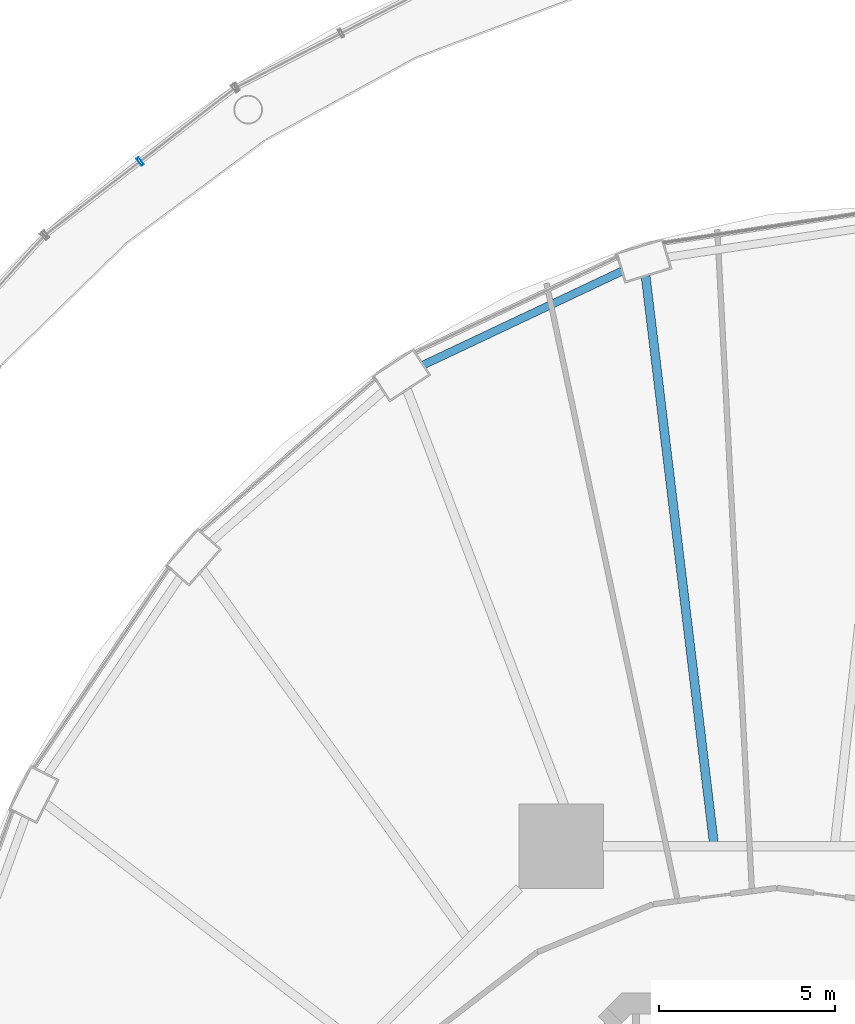
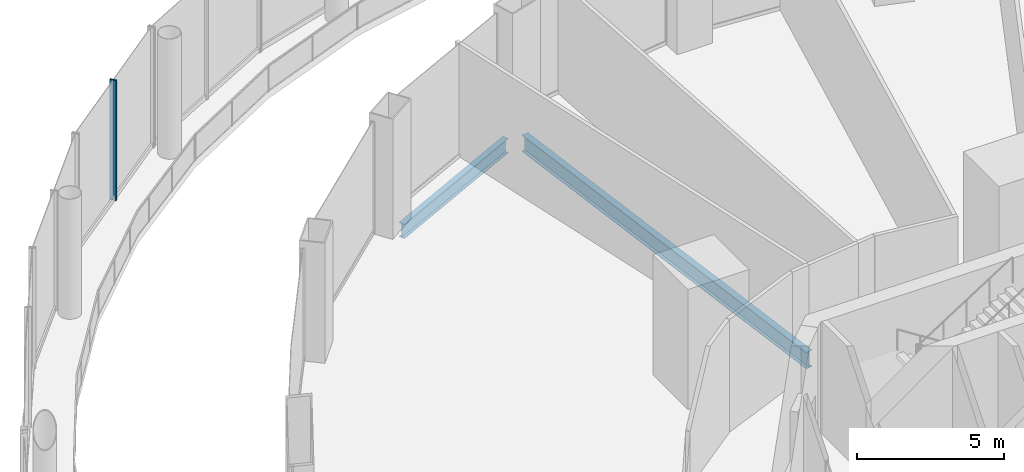
# One storey, part 30 of 47: 2 beams, 1 member, 1 element without a shape of its own.
"""IFC4 building model written with IfcOpenShell, lengths in metres."""

from ifc_helpers import new_model, si_unit, direction, frame, origin, origin_2d, place, context, subcontext, project, spatial, hollow_rectangle, i_section, extrude, material, layer, layer_set, material_profile, profile_set, type_object, element, aggregate, save


model = new_model("IFC4")

# Units and contexts
model_context = context("Model", 3, precision=1e-05, world=origin(), true_north=direction((0.0, 1.0)))
body_context = subcontext(model_context, "Body", "Model", "MODEL_VIEW")
ifc_project = project(units=[si_unit("LENGTHUNIT", "METRE"), si_unit("AREAUNIT", "SQUARE_METRE"), si_unit("VOLUMEUNIT", "CUBIC_METRE"), si_unit("PLANEANGLEUNIT", "RADIAN"), si_unit("MASSUNIT", "GRAM", prefix="KILO")], contexts=[model_context])

# Site, building, storey
site_placement = place(None, origin())
site = spatial("IfcSite", under=ifc_project, at=site_placement, CompositionType="ELEMENT")
building_placement = place(site_placement, origin())
building = spatial("IfcBuilding", under=site, at=building_placement, Name="Nagisa Residences", CompositionType="ELEMENT")
storey_placement = place(building_placement, frame((0.0, 0.0, 7.0)))
storey = spatial("IfcBuildingStorey", under=building, at=storey_placement, Name="L01", CompositionType="ELEMENT", Elevation=7.0)

# Curtain wall, member
ifc_material_1 = material(Name="Stainless steel curtain wall system", Category="steel")
ifc_layer = layer(ifc_material_1, 0.159912109375)
ifc_layer_set = layer_set([ifc_layer], Name="CW3 CURTAIN WALL")
curtain_wall_type = type_object("IfcCurtainWallType", Name="CW3 CURTAIN WALL", PredefinedType="NOTDEFINED", material=ifc_layer_set)
curtain_wall_placement = place(storey_placement, origin())
curtain_wall = element("IfcCurtainWall", 1, at=curtain_wall_placement, inside=storey, type_object=curtain_wall_type, Name="cw:CW3:L01:12", PredefinedType="NOTDEFINED")
ifc_material_2 = material(Name="Stainless steel", Category="steel")
ifc_material_profile_1 = material_profile(ifc_material_2, hollow_rectangle(XDim=0.25, YDim=0.080078125, WallThickness=0.008056640625, at=origin_2d()), Name="CW3 MULLION 250x80")
ifc_profile_set_1 = profile_set([ifc_material_profile_1], Name="Stainless steel")
member_type = type_object("IfcMemberType", Name="CW3 MULLION 250x80", PredefinedType="MULLION", material=ifc_profile_set_1)
member_placement = place(storey_placement, frame((-18.06396484375, 34.210205078125, 0.0), z_axis=(0.0, 0.0, 1.0), x_axis=(0.612034757172, -0.790830864353, 0.0)))
member = element("IfcMember", 2, at=member_placement, type_object=member_type, Name="CW3 mullion", PredefinedType="MULLION", context=body_context, shape_type="SweptSolid", body=[
    extrude(hollow_rectangle(XDim=0.25, YDim=0.080078125, WallThickness=0.008056640625, at=origin_2d()), origin(), (0.0, 0.0, 1.0), 5.0),
])
aggregate(curtain_wall, [member])

# Beams
ifc_material_3 = material(Name="Steel ASTM A572 Gr 50", Category="steel")
ifc_material_profile_2 = material_profile(ifc_material_3, i_section(OverallWidth=0.22802734375, OverallDepth=0.60302734375, WebThickness=0.010498046875, FlangeThickness=0.014892578125, at=origin_2d()), Name="W610x101")
ifc_profile_set_2 = profile_set([ifc_material_profile_2], Name="Steel ASTM A572 Gr 50")
beam_type_1 = type_object("IfcBeamType", Name="Perimeter ring beam W610x101", PredefinedType="BEAM", material=ifc_profile_set_2)
beam_1_placement = place(storey_placement, frame((-4.39794921875, 31.098876953125, -0.6015625), z_axis=(-0.904208275867, -0.427091786216, 0.0), x_axis=(0.427091786216, -0.904208275867, 0.0)))
element("IfcBeam", 3, at=beam_1_placement, inside=storey, type_object=beam_type_1, Name="beam:L01:pb08", PredefinedType="BEAM", context=body_context, shape_type="SweptSolid", body=[
    extrude(i_section(OverallWidth=0.22802734375, OverallDepth=0.60302734375, WebThickness=0.010498046875, FlangeThickness=0.014892578125, at=origin_2d()), origin(), (0.0, 0.0, 1.0), 6.227294921875),
])
ifc_material_4 = material(Name="Steel ASTM A572 Gr 50", Category="steel")
ifc_material_profile_3 = material_profile(ifc_material_4, i_section(OverallWidth=0.25390625, OverallDepth=0.68408203125, WebThickness=0.012451171875, FlangeThickness=0.018798828125, at=origin_2d()), Name="W690x140")
ifc_profile_set_3 = profile_set([ifc_material_profile_3], Name="Steel ASTM A572 Gr 50")
beam_type_2 = type_object("IfcBeamType", Name="Radial beam W690x140", PredefinedType="BEAM", material=ifc_profile_set_3)
beam_2_placement = place(storey_placement, frame((-3.72412109375, 30.958740234375, -0.64208984375), z_axis=(0.119431411612, -0.992842453726, 0.0), x_axis=(0.992842453726, 0.119431411612, 0.0)))
element("IfcBeam", 4, at=beam_2_placement, inside=storey, type_object=beam_type_2, Name="beam:L01:rb08", PredefinedType="BEAM", context=body_context, shape_type="SweptSolid", body=[
    extrude(i_section(OverallWidth=0.25390625, OverallDepth=0.68408203125, WebThickness=0.012451171875, FlangeThickness=0.018798828125, at=origin_2d()), origin(), (0.0, 0.0, 1.0), 16.1796875),
])

save(model, "model.ifc")
